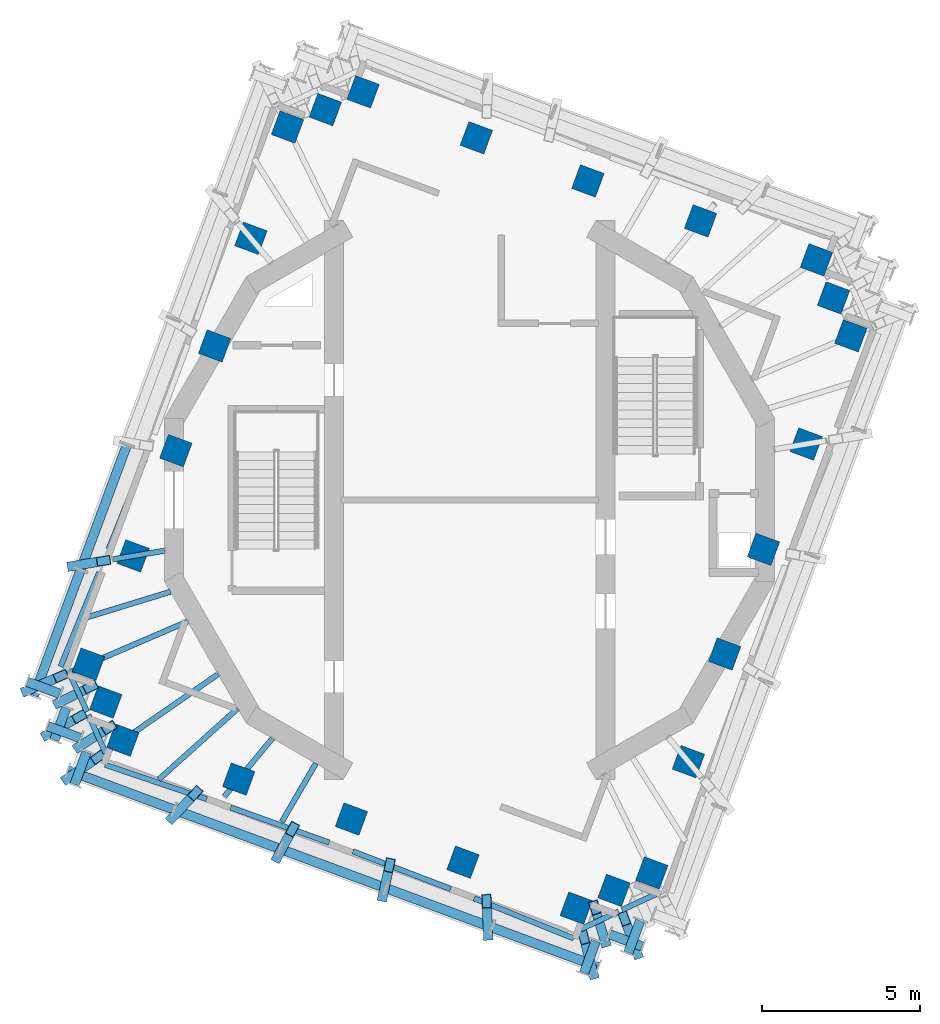
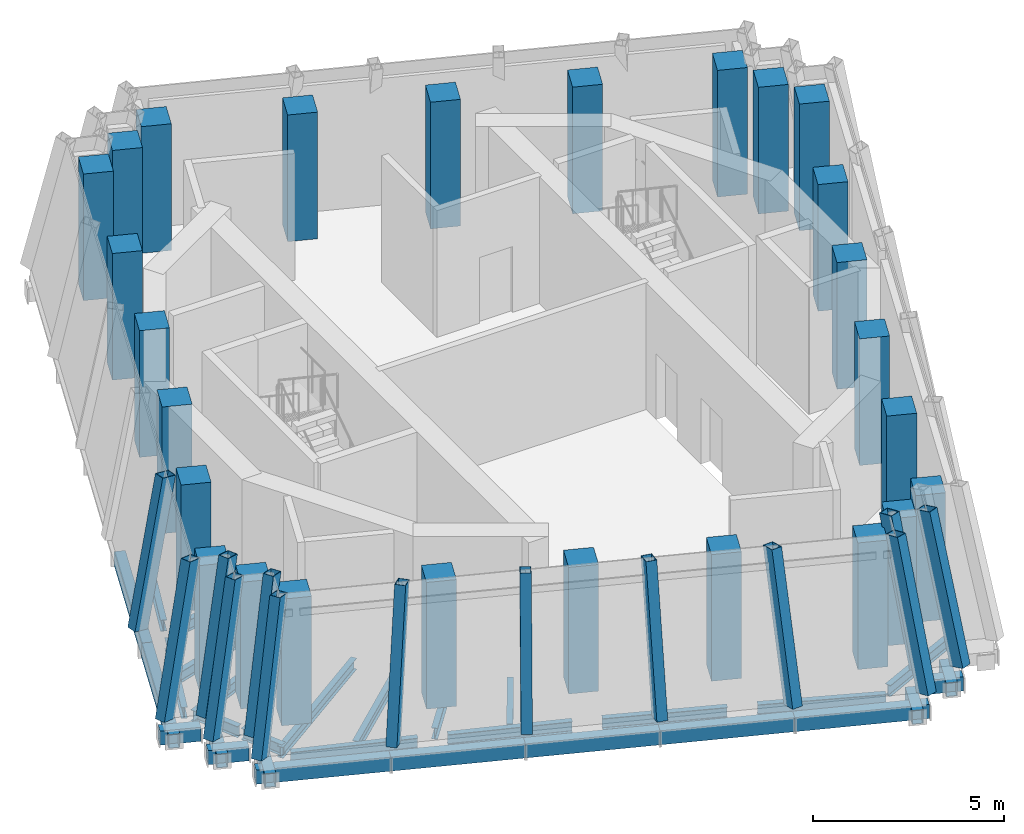
# One storey, part 1 of 11: 27 members, 26 columns, 17 beams, 14 elements without a shape of their own.
"""IFC4 building model written with IfcOpenShell, lengths in metres."""

from ifc_helpers import new_model, si_unit, direction, frame, origin, origin_2d, place, context, subcontext, project, spatial, rectangle, hollow_rectangle, i_section, extrude, material, material_profile, profile_set, type_object, element, aggregate, save


model = new_model("IFC4")

# Units and contexts
model_context = context("Model", 3, precision=1e-05, world=origin(), true_north=direction((0.0, 1.0)))
body_context = subcontext(model_context, "Body", "Model", "MODEL_VIEW")
ifc_project = project(units=[si_unit("LENGTHUNIT", "METRE"), si_unit("AREAUNIT", "SQUARE_METRE"), si_unit("VOLUMEUNIT", "CUBIC_METRE"), si_unit("PLANEANGLEUNIT", "RADIAN"), si_unit("MASSUNIT", "GRAM", prefix="KILO")], contexts=[model_context])

# Site, building, storey
site_placement = place(None, origin())
site = spatial("IfcSite", under=ifc_project, at=site_placement, CompositionType="ELEMENT")
building_placement = place(site_placement, origin())
building = spatial("IfcBuilding", under=site, at=building_placement, Name="Cantera Rosa Tower", CompositionType="ELEMENT")
storey_placement = place(building_placement, frame((0.0, 0.0, 369.699951171875)))
storey = spatial("IfcBuildingStorey", under=building, at=storey_placement, Name="L83", CompositionType="ELEMENT", Elevation=369.699951171875)

# Columns
ifc_material_1 = material(Name="Concrete C50/60", Category="concrete")
ifc_material_profile_1 = material_profile(ifc_material_1, rectangle(XDim=0.800048828125, YDim=0.800048828125, at=origin_2d()), Name="RC COLUMN RC800X800 C50/60")
ifc_profile_set_1 = profile_set([ifc_material_profile_1], Name="Concrete C50/60")
column_type = type_object("IfcColumnType", Name="RC COLUMN RC800X800 C50/60", PredefinedType="COLUMN", material=ifc_profile_set_1)
for number, where, z_axis, x_axis, name in (
    (1, (10.982177734375, 7.604248046875, 0.0), (0.0, 0.0, 1.0), (0.347481234489, 0.937686936924, 0.0), "C-Z6-01 L83"),
    (2, (7.31298828125, 8.837890625, 0.0), (0.0, 0.0, 1.0), (0.347481234489, 0.937686936924, 0.0), "C-Z6-02 L83"),
    (3, (3.744140625, 10.103515625, 0.0), (0.0, 0.0, 1.0), (0.347481234489, 0.937686936924, 0.0), "C-Z6-03 L83"),
    (4, (0.212158203125, 11.46923828125, 0.0), (0.0, 0.0, 1.0), (0.347481234489, 0.937686936924, 0.0), "C-Z6-04 L83"),
    (5, (-3.374755859375, 12.924560546875, 0.0), (0.0, 0.0, 1.0), (0.347481234489, 0.937686936924, 0.0), "C-Z6-05 L83"),
    (6, (-4.570556640625, 12.362548828125, 0.0), (0.0, 0.0, 1.0), (0.347481234489, 0.937686936924, 0.0), "C-Z6-06 L83"),
    (7, (-5.768310546875, 11.809814453125, 0.0), (0.0, 0.0, 1.0), (0.347481234489, 0.937686936924, 0.0), "C-Z6-07 L83"),
    (8, (-6.927490234375, 8.286865234375, 0.0), (0.0, 0.0, 1.0), (0.347481234489, 0.937686936924, 0.0), "C-Z6-08 L83"),
    (9, (-8.075439453125, 4.876953125, 0.0), (0.0, 0.0, 1.0), (0.347481234489, 0.937686936924, 0.0), "C-Z6-09 L83"),
    (10, (-9.303466796875, 1.56298828125, 0.0), (0.0, 0.0, 1.0), (0.347481234489, 0.937686936924, 0.0), "C-Z6-10 L83"),
    (11, (-10.65478515625, -1.771240234375, 0.0), (0.0, 0.0, 1.0), (0.347481234489, 0.937686936924, 0.0), "C-Z6-11 L83"),
    (12, (-12.071044921875, -5.198974609375, 0.0), (0.0, 0.0, 1.0), (0.347481234489, 0.937686936924, 0.0), "C-Z6-12 L83"),
    (13, (-11.52294921875, -6.398681640625, 0.0), (0.0, 0.0, 1.0), (0.347481234489, 0.937686936924, 0.0), "C-Z6-13 L83"),
    (14, (-10.982177734375, -7.604248046875, 0.0), (0.0, 0.0, 1.0), (0.347481234489, 0.937686936924, 0.0), "C-Z6-14 L83"),
    (15, (-7.31298828125, -8.837890625, 0.0), (0.0, 0.0, 1.0), (0.347481234489, 0.937686936924, 0.0), "C-Z6-15 L83"),
    (16, (-3.744140625, -10.103515625, 0.0), (0.0, 0.0, 1.0), (0.347481234489, 0.937686936924, 0.0), "C-Z6-16 L83"),
    (17, (-0.212158203125, -11.46923828125, 0.0), (0.0, 0.0, 1.0), (0.347481234489, 0.937686936924, 0.0), "C-Z6-17 L83"),
    (18, (3.374755859375, -12.924560546875, 0.0), (0.0, 0.0, 1.0), (0.347481234489, 0.937686936924, 0.0), "C-Z6-18 L83"),
    (19, (4.570556640625, -12.362548828125, 0.0), (0.0, 0.0, 1.0), (0.347481234489, 0.937686936924, 0.0), "C-Z6-19 L83"),
    (20, (5.768310546875, -11.809814453125, 0.0), (0.0, 0.0, 1.0), (0.347481234489, 0.937686936924, 0.0), "C-Z6-20 L83"),
    (21, (6.927490234375, -8.286865234375, 0.0), (0.0, 0.0, 1.0), (0.347481234489, 0.937686936924, 0.0), "C-Z6-21 L83"),
    (22, (8.075439453125, -4.876953125, 0.0), (0.0, 0.0, 1.0), (0.347481234489, 0.937686936924, 0.0), "C-Z6-22 L83"),
    (23, (9.303466796875, -1.56298828125, 0.0), (0.0, 0.0, 1.0), (0.347481234489, 0.937686936924, 0.0), "C-Z6-23 L83"),
    (24, (10.65478515625, 1.771240234375, 0.0), (0.0, 0.0, 1.0), (0.347481234489, 0.937686936924, 0.0), "C-Z6-24 L83"),
    (25, (12.071044921875, 5.198974609375, 0.0), (0.0, 0.0, 1.0), (0.347481234489, 0.937686936924, 0.0), "C-Z6-25 L83"),
    (26, (11.52294921875, 6.398681640625, 0.0), (0.0, 0.0, 1.0), (0.347481234489, 0.937686936924, 0.0), "C-Z6-26 L83"),
):
    element("IfcColumn", number, at=place(storey_placement, frame(where, z_axis=z_axis, x_axis=x_axis)), inside=storey, type_object=column_type, Name=name, PredefinedType="COLUMN", context=body_context, shape_type="SweptSolid", body=[
        extrude(rectangle(XDim=0.800048828125, YDim=0.800048828125, at=origin_2d()), origin(), (0.0, 0.0, 1.0), 4.050048828125),
    ])

# Curtain wall, member
ifc_material_2 = material(Name="Aluminium frame with clear glass", Category="aluminium")
curtain_wall_type = type_object("IfcCurtainWallType", Name="CW4 CROWN GLAZING", PredefinedType="NOTDEFINED", material=ifc_material_2)
curtain_wall_1_placement = place(storey_placement, origin())
curtain_wall_1 = element("IfcCurtainWall", 27, at=curtain_wall_1_placement, inside=storey, type_object=curtain_wall_type, Name="CW4 L83-14", PredefinedType="NOTDEFINED")
ifc_material_3 = material(Name="Steel S355J2 (EN 10025-2)", Category="steel")
ifc_material_profile_2 = material_profile(ifc_material_3, hollow_rectangle(XDim=0.300048828125, YDim=0.449951171875, WallThickness=0.01611328125, at=origin_2d()), Name="CROWN FRAME MULLION RHS 300x450x16")
ifc_profile_set_2 = profile_set([ifc_material_profile_2], Name="Steel S355J2 (EN 10025-2)")
member_type_1 = type_object("IfcMemberType", Name="CROWN FRAME MULLION RHS 300x450x16", PredefinedType="MULLION", material=ifc_profile_set_2)
member_1_placement = place(storey_placement, frame((-12.519287109375, -2.081298828125, 0.0), z_axis=(0.201701136075, 0.033563748815, 0.978871864174), x_axis=(-0.164146276387, 0.986436009049, 0.0)))
member_1 = element("IfcMember", 28, at=member_1_placement, type_object=member_type_1, Name="CROWN FRAME rib L83-14", PredefinedType="MULLION", context=body_context, shape_type="SweptSolid", body=[
    extrude(hollow_rectangle(XDim=0.300048828125, YDim=0.449951171875, WallThickness=0.01611328125, at=origin_2d()), origin(), (0.0, 0.0, 1.0), 4.59716796875),
])

curtain_wall_2_placement = place(storey_placement, origin())
curtain_wall_2 = element("IfcCurtainWall", 29, at=curtain_wall_2_placement, inside=storey, type_object=curtain_wall_type, Name="CW4 L83-15", PredefinedType="NOTDEFINED")
member_2_placement = place(storey_placement, frame((-13.979248046875, -6.020751953125, 0.0), z_axis=(0.223241169722, 0.096148424583, 0.970009721905), x_axis=(-0.395564894029, 0.918438029816, 0.0)))
member_2 = element("IfcMember", 30, at=member_2_placement, type_object=member_type_1, Name="CROWN FRAME rib L83-15", PredefinedType="MULLION", context=body_context, shape_type="SweptSolid", body=[
    extrude(hollow_rectangle(XDim=0.300048828125, YDim=0.449951171875, WallThickness=0.01611328125, at=origin_2d()), origin(), (0.0, 0.0, 1.0), 4.63916015625),
])

curtain_wall_3_placement = place(storey_placement, origin())
curtain_wall_3 = element("IfcCurtainWall", 31, at=curtain_wall_3_placement, inside=storey, type_object=curtain_wall_type, Name="CW4 L83-16", PredefinedType="NOTDEFINED")
member_3_placement = place(storey_placement, frame((-12.966552734375, -6.39599609375, 0.0), z_axis=(0.207684153899, 0.102443441606, 0.972816855061), x_axis=(-0.442375355852, 0.896829997566, 0.0)))
member_3 = element("IfcMember", 32, at=member_3_placement, type_object=member_type_1, Name="CROWN FRAME rib L83-16", PredefinedType="MULLION", context=body_context, shape_type="SweptSolid", body=[
    extrude(hollow_rectangle(XDim=0.300048828125, YDim=0.449951171875, WallThickness=0.01611328125, at=origin_2d()), origin(), (0.0, 0.0, 1.0), 4.625732421875),
])

curtain_wall_4_placement = place(storey_placement, origin())
curtain_wall_4 = element("IfcCurtainWall", 33, at=curtain_wall_4_placement, inside=storey, type_object=curtain_wall_type, Name="CW4 L83-17", PredefinedType="NOTDEFINED")
member_4_placement = place(storey_placement, frame((-13.341796875, -7.40869140625, 0.0), z_axis=(0.212999998171, 0.118286560249, 0.96986560432), x_axis=(-0.485496229045, 0.874238761199, 0.0)))
member_4 = element("IfcMember", 34, at=member_4_placement, type_object=member_type_1, Name="CROWN FRAME rib L83-17", PredefinedType="MULLION", context=body_context, shape_type="SweptSolid", body=[
    extrude(hollow_rectangle(XDim=0.300048828125, YDim=0.449951171875, WallThickness=0.01611328125, at=origin_2d()), origin(), (0.0, 0.0, 1.0), 4.639892578125),
])

curtain_wall_5_placement = place(storey_placement, origin())
curtain_wall_5 = element("IfcCurtainWall", 35, at=curtain_wall_5_placement, inside=storey, type_object=curtain_wall_type, Name="CW4 L83-18", PredefinedType="NOTDEFINED")
member_5_placement = place(storey_placement, frame((-12.3291015625, -7.783935546875, 0.0), z_axis=(0.19735648188, 0.124607326972, 0.97238029244), x_axis=(-0.533873930699, 0.84556408753, 0.0)))
member_5 = element("IfcMember", 36, at=member_5_placement, type_object=member_type_1, Name="CROWN FRAME rib L83-18", PredefinedType="MULLION", context=body_context, shape_type="SweptSolid", body=[
    extrude(hollow_rectangle(XDim=0.300048828125, YDim=0.449951171875, WallThickness=0.01611328125, at=origin_2d()), origin(), (0.0, 0.0, 1.0), 4.6279296875),
])

curtain_wall_6_placement = place(storey_placement, origin())
curtain_wall_6 = element("IfcCurtainWall", 37, at=curtain_wall_6_placement, inside=storey, type_object=curtain_wall_type, Name="CW4 L83-19", PredefinedType="NOTDEFINED")
member_6_placement = place(storey_placement, frame((-12.704345703125, -8.796630859375, 0.0), z_axis=(0.202691806928, 0.140333186171, 0.969134989701), x_axis=(-0.569232159269, 0.822176835513, 0.0)))
member_6 = element("IfcMember", 38, at=member_6_placement, type_object=member_type_1, Name="CROWN FRAME rib L83-19", PredefinedType="MULLION", context=body_context, shape_type="SweptSolid", body=[
    extrude(hollow_rectangle(XDim=0.300048828125, YDim=0.449951171875, WallThickness=0.01611328125, at=origin_2d()), origin(), (0.0, 0.0, 1.0), 4.643310546875),
])

curtain_wall_7_placement = place(storey_placement, origin())
curtain_wall_7 = element("IfcCurtainWall", 39, at=curtain_wall_7_placement, inside=storey, type_object=curtain_wall_type, Name="CW4 L83-20", PredefinedType="NOTDEFINED")
member_7_placement = place(storey_placement, frame((-9.382568359375, -10.027587890625, 0.0), z_axis=(0.150605583101, 0.161030495213, 0.97539076167), x_axis=(-0.730352521861, 0.683070416437, 0.0)))
member_7 = element("IfcMember", 40, at=member_7_placement, type_object=member_type_1, Name="CROWN FRAME rib L83-20", PredefinedType="MULLION", context=body_context, shape_type="SweptSolid", body=[
    extrude(hollow_rectangle(XDim=0.300048828125, YDim=0.449951171875, WallThickness=0.01611328125, at=origin_2d()), origin(), (0.0, 0.0, 1.0), 4.613525390625),
])

curtain_wall_8_placement = place(storey_placement, origin())
curtain_wall_8 = element("IfcCurtainWall", 41, at=curtain_wall_8_placement, inside=storey, type_object=curtain_wall_type, Name="CW4 L83-21", PredefinedType="NOTDEFINED")
member_8_placement = place(storey_placement, frame((-6.06103515625, -11.258544921875, 0.0), z_axis=(0.097632922217, 0.181356205706, 0.978559011584), x_axis=(-0.880512480257, 0.474022965806, 0.0)))
member_8 = element("IfcMember", 42, at=member_8_placement, type_object=member_type_1, Name="CROWN FRAME rib L83-21", PredefinedType="MULLION", context=body_context, shape_type="SweptSolid", body=[
    extrude(hollow_rectangle(XDim=0.300048828125, YDim=0.449951171875, WallThickness=0.01611328125, at=origin_2d()), origin(), (0.0, 0.0, 1.0), 4.5986328125),
])

curtain_wall_9_placement = place(storey_placement, origin())
curtain_wall_9 = element("IfcCurtainWall", 43, at=curtain_wall_9_placement, inside=storey, type_object=curtain_wall_type, Name="CW4 L83-22", PredefinedType="NOTDEFINED")
member_9_placement = place(storey_placement, frame((-2.7392578125, -12.489501953125, 0.0), z_axis=(0.044117747221, 0.201210904893, 0.978553931131), x_axis=(-0.976795656334, 0.214173401165, 0.0)))
member_9 = element("IfcMember", 44, at=member_9_placement, type_object=member_type_1, Name="CROWN FRAME rib L83-22", PredefinedType="MULLION", context=body_context, shape_type="SweptSolid", body=[
    extrude(hollow_rectangle(XDim=0.300048828125, YDim=0.449951171875, WallThickness=0.01611328125, at=origin_2d()), origin(), (0.0, 0.0, 1.0), 4.5986328125),
])

curtain_wall_10_placement = place(storey_placement, origin())
curtain_wall_10 = element("IfcCurtainWall", 45, at=curtain_wall_10_placement, inside=storey, type_object=curtain_wall_type, Name="CW4 L83-23", PredefinedType="NOTDEFINED")
member_10_placement = place(storey_placement, frame((0.582275390625, -13.72021484375, 0.0), z_axis=(-0.009313709809, 0.220248069459, 0.975399427265), x_axis=(-0.99910708688, -0.042249602905, 0.0)))
member_10 = element("IfcMember", 46, at=member_10_placement, type_object=member_type_1, Name="CROWN FRAME rib L83-23", PredefinedType="MULLION", context=body_context, shape_type="SweptSolid", body=[
    extrude(hollow_rectangle(XDim=0.300048828125, YDim=0.449951171875, WallThickness=0.01611328125, at=origin_2d()), origin(), (0.0, 0.0, 1.0), 4.613525390625),
])

curtain_wall_11_placement = place(storey_placement, origin())
curtain_wall_11 = element("IfcCurtainWall", 47, at=curtain_wall_11_placement, inside=storey, type_object=curtain_wall_type, Name="CW4 L83-24", PredefinedType="NOTDEFINED")
member_11_placement = place(storey_placement, frame((3.904052734375, -14.951171875, 0.0), z_axis=(-0.062306478041, 0.238499733664, 0.96914177489), x_axis=(-0.967528872957, -0.252760519059, 0.0)))
member_11 = element("IfcMember", 48, at=member_11_placement, type_object=member_type_1, Name="CROWN FRAME rib L83-24", PredefinedType="MULLION", context=body_context, shape_type="SweptSolid", body=[
    extrude(hollow_rectangle(XDim=0.300048828125, YDim=0.449951171875, WallThickness=0.01611328125, at=origin_2d()), origin(), (0.0, 0.0, 1.0), 4.643310546875),
])

curtain_wall_12_placement = place(storey_placement, origin())
curtain_wall_12 = element("IfcCurtainWall", 49, at=curtain_wall_12_placement, inside=storey, type_object=curtain_wall_type, Name="CW4 L83-25", PredefinedType="NOTDEFINED")
member_12_placement = place(storey_placement, frame((4.279296875, -13.9384765625, 0.0), z_axis=(-0.068476464334, 0.223102440423, 0.97238689569), x_axis=(-0.955984057703, -0.293418611232, 0.0)))
member_12 = element("IfcMember", 50, at=member_12_placement, type_object=member_type_1, Name="CROWN FRAME rib L83-25", PredefinedType="MULLION", context=body_context, shape_type="SweptSolid", body=[
    extrude(hollow_rectangle(XDim=0.300048828125, YDim=0.449951171875, WallThickness=0.01611328125, at=origin_2d()), origin(), (0.0, 0.0, 1.0), 4.627685546875),
])

curtain_wall_13_placement = place(storey_placement, origin())
curtain_wall_13 = element("IfcCurtainWall", 51, at=curtain_wall_13_placement, inside=storey, type_object=curtain_wall_type, Name="CW4 L83-26", PredefinedType="NOTDEFINED")
member_13_placement = place(storey_placement, frame((5.2919921875, -14.313720703125, 0.0), z_axis=(-0.084505308064, 0.228522137559, 0.9698641583), x_axis=(-0.937925785431, -0.346836014599, 0.0)))
member_13 = element("IfcMember", 52, at=member_13_placement, type_object=member_type_1, Name="CROWN FRAME rib L83-26", PredefinedType="MULLION", context=body_context, shape_type="SweptSolid", body=[
    extrude(hollow_rectangle(XDim=0.300048828125, YDim=0.449951171875, WallThickness=0.01611328125, at=origin_2d()), origin(), (0.0, 0.0, 1.0), 4.639892578125),
])

curtain_wall_14_placement = place(storey_placement, origin())
curtain_wall_14 = element("IfcCurtainWall", 53, at=curtain_wall_14_placement, inside=storey, type_object=curtain_wall_type, Name="CW4 L83-13", PredefinedType="NOTDEFINED")
ifc_material_4 = material(Name="Steel S355J2 (EN 10025-2)", Category="steel")
ifc_material_profile_3 = material_profile(ifc_material_4, hollow_rectangle(XDim=0.300048828125, YDim=0.449951171875, WallThickness=0.01611328125, at=origin_2d()), Name="CROWN FRAME PURLIN RHS 300x450x16")
ifc_profile_set_3 = profile_set([ifc_material_profile_3], Name="Steel S355J2 (EN 10025-2)")
member_type_2 = type_object("IfcMemberType", Name="CROWN FRAME PURLIN RHS 300x450x16", PredefinedType="PURLIN", material=ifc_profile_set_3)
member_14_placement = place(storey_placement, frame((-10.84814453125, 1.75732421875, -0.675048828125), z_axis=(-0.347432400103, -0.937705032171, 0.0), x_axis=(0.937705032171, -0.347432400103, 0.0)))
member_14 = element("IfcMember", 54, at=member_14_placement, type_object=member_type_2, Name="CROWN FRAME purlin L83-13", PredefinedType="PURLIN", context=body_context, shape_type="SweptSolid", body=[
    extrude(hollow_rectangle(XDim=0.300048828125, YDim=0.449951171875, WallThickness=0.01611328125, at=origin_2d()), origin(), (0.0, 0.0, 1.0), 4.24365234375),
])
aggregate(curtain_wall_14, [member_14])

# Member
member_15_placement = place(storey_placement, frame((-12.322509765625, -2.221923828125, -0.675048828125), z_axis=(-0.347501731493, -0.937679341038, 0.0), x_axis=(0.937679341038, -0.347501731493, 0.0)))
member_15 = element("IfcMember", 55, at=member_15_placement, type_object=member_type_2, Name="CROWN FRAME purlin L83-14", PredefinedType="PURLIN", context=body_context, shape_type="SweptSolid", body=[
    extrude(hollow_rectangle(XDim=0.300048828125, YDim=0.449951171875, WallThickness=0.01611328125, at=origin_2d()), origin(), (0.0, 0.0, 1.0), 4.243408203125),
])

aggregate(curtain_wall_1, [member_1, member_15])

member_16_placement = place(storey_placement, frame((-14.0009765625, -5.75830078125, -0.675048828125), z_axis=(0.937665049804, -0.347540291729, 0.0), x_axis=(0.347540291729, 0.937665049804, 0.0)))
member_16 = element("IfcMember", 56, at=member_16_placement, type_object=member_type_2, Name="CROWN FRAME purlin L83-15", PredefinedType="PURLIN", context=body_context, shape_type="SweptSolid", body=[
    extrude(hollow_rectangle(XDim=0.300048828125, YDim=0.449951171875, WallThickness=0.01611328125, at=origin_2d()), origin(), (0.0, 0.0, 1.0), 1.091064453125),
])

aggregate(curtain_wall_2, [member_2, member_16])

member_17_placement = place(storey_placement, frame((-12.774658203125, -6.5810546875, -0.675048828125), z_axis=(-0.347343512244, -0.937737961534, 0.0), x_axis=(0.937737961534, -0.347343512244, 0.0)))
member_17 = element("IfcMember", 57, at=member_17_placement, type_object=member_type_2, Name="CROWN FRAME purlin L83-16", PredefinedType="PURLIN", context=body_context, shape_type="SweptSolid", body=[
    extrude(hollow_rectangle(XDim=0.300048828125, YDim=0.449951171875, WallThickness=0.01611328125, at=origin_2d()), origin(), (0.0, 0.0, 1.0), 1.0908203125),
])

aggregate(curtain_wall_3, [member_3, member_17])

member_18_placement = place(storey_placement, frame((-13.356201171875, -7.16064453125, -0.675048828125), z_axis=(0.937737961534, -0.347343512244, 0.0), x_axis=(0.347343512244, 0.937737961534, 0.0)))
member_18 = element("IfcMember", 58, at=member_18_placement, type_object=member_type_2, Name="CROWN FRAME purlin L83-17", PredefinedType="PURLIN", context=body_context, shape_type="SweptSolid", body=[
    extrude(hollow_rectangle(XDim=0.300048828125, YDim=0.449951171875, WallThickness=0.01611328125, at=origin_2d()), origin(), (0.0, 0.0, 1.0), 1.0908203125),
])

aggregate(curtain_wall_4, [member_4, member_18])

member_19_placement = place(storey_placement, frame((-12.131103515625, -7.984375, -0.675048828125), z_axis=(-0.347540291729, -0.937665049804, 0.0), x_axis=(0.937665049804, -0.347540291729, 0.0)))
member_19 = element("IfcMember", 59, at=member_19_placement, type_object=member_type_2, Name="CROWN FRAME purlin L83-18", PredefinedType="PURLIN", context=body_context, shape_type="SweptSolid", body=[
    extrude(hollow_rectangle(XDim=0.300048828125, YDim=0.449951171875, WallThickness=0.01611328125, at=origin_2d()), origin(), (0.0, 0.0, 1.0), 1.091064453125),
])

aggregate(curtain_wall_5, [member_5, member_19])

member_20_placement = place(storey_placement, frame((-12.71142578125, -8.562744140625, -0.675048828125), z_axis=(0.937687832299, -0.347478818286, 0.0), x_axis=(0.347478818286, 0.937687832299, 0.0)))
member_20 = element("IfcMember", 60, at=member_20_placement, type_object=member_type_2, Name="CROWN FRAME purlin L83-19", PredefinedType="PURLIN", context=body_context, shape_type="SweptSolid", body=[
    extrude(hollow_rectangle(XDim=0.300048828125, YDim=0.449951171875, WallThickness=0.01611328125, at=origin_2d()), origin(), (0.0, 0.0, 1.0), 3.57763671875),
])

aggregate(curtain_wall_6, [member_6, member_20])

member_21_placement = place(storey_placement, frame((-9.356689453125, -9.805908203125, -0.675048828125), z_axis=(0.937679592089, -0.34750105407, 0.0), x_axis=(0.34750105407, 0.937679592089, 0.0)))
member_21 = element("IfcMember", 61, at=member_21_placement, type_object=member_type_2, Name="CROWN FRAME purlin L83-20", PredefinedType="PURLIN", context=body_context, shape_type="SweptSolid", body=[
    extrude(hollow_rectangle(XDim=0.300048828125, YDim=0.449951171875, WallThickness=0.01611328125, at=origin_2d()), origin(), (0.0, 0.0, 1.0), 3.577392578125),
])

aggregate(curtain_wall_7, [member_7, member_21])

member_22_placement = place(storey_placement, frame((-6.002197265625, -11.049072265625, -0.675048828125), z_axis=(0.937687832299, -0.347478818286, 0.0), x_axis=(0.347478818286, 0.937687832299, 0.0)))
member_22 = element("IfcMember", 62, at=member_22_placement, type_object=member_type_2, Name="CROWN FRAME purlin L83-21", PredefinedType="PURLIN", context=body_context, shape_type="SweptSolid", body=[
    extrude(hollow_rectangle(XDim=0.300048828125, YDim=0.449951171875, WallThickness=0.01611328125, at=origin_2d()), origin(), (0.0, 0.0, 1.0), 3.57763671875),
])

aggregate(curtain_wall_8, [member_8, member_22])

member_23_placement = place(storey_placement, frame((-2.6474609375, -12.292236328125, -0.675048828125), z_axis=(0.937687832299, -0.347478818286, 0.0), x_axis=(0.347478818286, 0.937687832299, 0.0)))
member_23 = element("IfcMember", 63, at=member_23_placement, type_object=member_type_2, Name="CROWN FRAME purlin L83-22", PredefinedType="PURLIN", context=body_context, shape_type="SweptSolid", body=[
    extrude(hollow_rectangle(XDim=0.300048828125, YDim=0.449951171875, WallThickness=0.01611328125, at=origin_2d()), origin(), (0.0, 0.0, 1.0), 3.57763671875),
])

aggregate(curtain_wall_9, [member_9, member_23])

member_24_placement = place(storey_placement, frame((0.707275390625, -13.535400390625, -0.675048828125), z_axis=(0.937679592089, -0.34750105407, 0.0), x_axis=(0.34750105407, 0.937679592089, 0.0)))
member_24 = element("IfcMember", 64, at=member_24_placement, type_object=member_type_2, Name="CROWN FRAME purlin L83-23", PredefinedType="PURLIN", context=body_context, shape_type="SweptSolid", body=[
    extrude(hollow_rectangle(XDim=0.300048828125, YDim=0.449951171875, WallThickness=0.01611328125, at=origin_2d()), origin(), (0.0, 0.0, 1.0), 3.577392578125),
])

aggregate(curtain_wall_10, [member_10, member_24])

member_25_placement = place(storey_placement, frame((3.619384765625, -14.984619140625, -0.675048828125), z_axis=(0.347467379273, 0.937692071173, 0.0), x_axis=(-0.937692071173, 0.347467379273, 0.0)))
member_25 = element("IfcMember", 65, at=member_25_placement, type_object=member_type_2, Name="CROWN FRAME purlin L83-24", PredefinedType="PURLIN", context=body_context, shape_type="SweptSolid", body=[
    extrude(hollow_rectangle(XDim=0.300048828125, YDim=0.449951171875, WallThickness=0.01611328125, at=origin_2d()), origin(), (0.0, 0.0, 1.0), 1.091064453125),
])

aggregate(curtain_wall_11, [member_11, member_25])

member_26_placement = place(storey_placement, frame((4.441650390625, -13.755859375, -0.675048828125), z_axis=(0.937665049804, -0.347540291729, 0.0), x_axis=(0.347540291729, 0.937665049804, 0.0)))
member_26 = element("IfcMember", 66, at=member_26_placement, type_object=member_type_2, Name="CROWN FRAME purlin L83-25", PredefinedType="PURLIN", context=body_context, shape_type="SweptSolid", body=[
    extrude(hollow_rectangle(XDim=0.300048828125, YDim=0.449951171875, WallThickness=0.01611328125, at=origin_2d()), origin(), (0.0, 0.0, 1.0), 1.091064453125),
])

aggregate(curtain_wall_12, [member_12, member_26])

member_27_placement = place(storey_placement, frame((5.02197265625, -14.339599609375, -0.675048828125), z_axis=(0.347467379273, 0.937692071173, 0.0), x_axis=(-0.937692071173, 0.347467379273, 0.0)))
member_27 = element("IfcMember", 67, at=member_27_placement, type_object=member_type_2, Name="CROWN FRAME purlin L83-26", PredefinedType="PURLIN", context=body_context, shape_type="SweptSolid", body=[
    extrude(hollow_rectangle(XDim=0.300048828125, YDim=0.449951171875, WallThickness=0.01611328125, at=origin_2d()), origin(), (0.0, 0.0, 1.0), 1.091064453125),
])

aggregate(curtain_wall_13, [member_13, member_27])

# Beams
ifc_material_5 = material(Name="Steel ASTM A992 (Fy 345 MPa)", Category="steel")
ifc_material_profile_4 = material_profile(ifc_material_5, i_section(OverallWidth=0.1708984375, OverallDepth=0.35595703125, WebThickness=0.00732421875, FlangeThickness=0.01171875, FilletRadius=0.010009765625, at=origin_2d()), Name="W360X51")
ifc_profile_set_4 = profile_set([ifc_material_profile_4], Name="Steel ASTM A992 (Fy 345 MPa)")
beam_type_1 = type_object("IfcBeamType", Name="STEEL BEAM W360X51", PredefinedType="BEAM", material=ifc_profile_set_4)
beam_1_placement = place(storey_placement, frame((-11.2861328125, -1.876220703125, -0.6279296875), z_axis=(0.98645786112, 0.164014902479, 0.0), x_axis=(-0.164014902479, 0.98645786112, 0.0)))
element("IfcBeam", 68, at=beam_1_placement, inside=storey, type_object=beam_type_1, Name="CG-Z6-05 L83", PredefinedType="BEAM", context=body_context, shape_type="SweptSolid", body=[
    extrude(i_section(OverallWidth=0.1708984375, OverallDepth=0.35595703125, WebThickness=0.00732421875, FlangeThickness=0.01171875, FilletRadius=0.010009765625, at=origin_2d()), origin(), (0.0, 0.0, 1.0), 1.649169921875),
])
beam_2_placement = place(storey_placement, frame((-12.8310546875, -5.526123046875, -0.6279296875), z_axis=(0.918453441932, 0.395529107656, 0.0), x_axis=(-0.395529107656, 0.918453441932, 0.0)))
element("IfcBeam", 69, at=beam_2_placement, inside=storey, type_object=beam_type_1, Name="CG-Z6-06 L83", PredefinedType="BEAM", context=body_context, shape_type="SweptSolid", body=[
    extrude(i_section(OverallWidth=0.1708984375, OverallDepth=0.35595703125, WebThickness=0.00732421875, FlangeThickness=0.01171875, FilletRadius=0.010009765625, at=origin_2d()), origin(), (0.0, 0.0, 1.0), 4.244873046875),
])
beam_3_placement = place(storey_placement, frame((-11.676513671875, -8.0849609375, -0.6279296875), z_axis=(0.822153217413, 0.569266270823, 0.0), x_axis=(-0.569266270823, 0.822153217413, 0.0)))
element("IfcBeam", 70, at=beam_3_placement, inside=storey, type_object=beam_type_1, Name="CG-Z6-07 L83", PredefinedType="BEAM", context=body_context, shape_type="SweptSolid", body=[
    extrude(i_section(OverallWidth=0.1708984375, OverallDepth=0.35595703125, WebThickness=0.00732421875, FlangeThickness=0.01171875, FilletRadius=0.010009765625, at=origin_2d()), origin(), (0.0, 0.0, 1.0), 4.510498046875),
])
beam_4_placement = place(storey_placement, frame((-7.75537109375, -9.372314453125, -0.6279296875), z_axis=(0.63748332089, 0.770464155939, 0.0), x_axis=(-0.770464155939, 0.63748332089, 0.0)))
element("IfcBeam", 71, at=beam_4_placement, inside=storey, type_object=beam_type_1, Name="CG-Z6-08 L83", PredefinedType="BEAM", context=body_context, shape_type="SweptSolid", body=[
    extrude(i_section(OverallWidth=0.1708984375, OverallDepth=0.35595703125, WebThickness=0.00732421875, FlangeThickness=0.01171875, FilletRadius=0.010009765625, at=origin_2d()), origin(), (0.0, 0.0, 1.0), 2.368408203125),
])
beam_5_placement = place(storey_placement, frame((-12.229736328125, -3.75, -0.6279296875), z_axis=(0.956051673784, 0.29319822144, 0.0), x_axis=(-0.29319822144, 0.956051673784, 0.0)))
element("IfcBeam", 72, at=beam_5_placement, inside=storey, type_object=beam_type_1, Name="CB-Z6-04 L83", PredefinedType="BEAM", context=body_context, shape_type="SweptSolid", body=[
    extrude(i_section(OverallWidth=0.1708984375, OverallDepth=0.35595703125, WebThickness=0.00732421875, FlangeThickness=0.01171875, FilletRadius=0.010009765625, at=origin_2d()), origin(), (0.0, 0.0, 1.0), 2.880126953125),
])
beam_6_placement = place(storey_placement, frame((-9.845703125, -8.849365234375, -0.6279296875), z_axis=(0.743759359384, 0.668447466394, 0.0), x_axis=(-0.668447466394, 0.743759359384, 0.0)))
element("IfcBeam", 73, at=beam_6_placement, inside=storey, type_object=beam_type_1, Name="CB-Z6-05 L83", PredefinedType="BEAM", context=body_context, shape_type="SweptSolid", body=[
    extrude(i_section(OverallWidth=0.1708984375, OverallDepth=0.35595703125, WebThickness=0.00732421875, FlangeThickness=0.01171875, FilletRadius=0.010009765625, at=origin_2d()), origin(), (0.0, 0.0, 1.0), 3.364990234375),
])
beam_7_placement = place(storey_placement, frame((-5.94775390625, -10.189697265625, -0.6279296875), z_axis=(0.504119374027, 0.86363398308, 0.0), x_axis=(-0.86363398308, 0.504119374027, 0.0)))
element("IfcBeam", 74, at=beam_7_placement, inside=storey, type_object=beam_type_1, Name="CB-Z6-06 L83", PredefinedType="BEAM", context=body_context, shape_type="SweptSolid", body=[
    extrude(i_section(OverallWidth=0.1708984375, OverallDepth=0.35595703125, WebThickness=0.00732421875, FlangeThickness=0.01171875, FilletRadius=0.010009765625, at=origin_2d()), origin(), (0.0, 0.0, 1.0), 2.13916015625),
])
ifc_material_6 = material(Name="Steel ASTM A992 (Fy 345 MPa)", Category="steel")
ifc_material_profile_5 = material_profile(ifc_material_6, i_section(OverallWidth=0.1708984375, OverallDepth=0.35595703125, WebThickness=0.00732421875, FlangeThickness=0.01171875, FilletRadius=0.010009765625, at=origin_2d()), Name="W360X51")
ifc_profile_set_5 = profile_set([ifc_material_profile_5], Name="Steel ASTM A992 (Fy 345 MPa)")
beam_type_2 = type_object("IfcBeamType", Name="STEEL SPANDREL BEAM W360X51", PredefinedType="SPANDREL", material=ifc_profile_set_5)
beam_8_placement = place(storey_placement, frame((-10.27197265625, 1.32958984375, -0.6279296875), z_axis=(-0.373434396537, -0.927656591354, 0.0), x_axis=(0.927656591354, -0.373434396537, 0.0)))
element("IfcBeam", 75, at=beam_8_placement, inside=storey, type_object=beam_type_2, Name="CEB-Z6-10 L83", PredefinedType="SPANDREL", context=body_context, shape_type="SweptSolid", body=[
    extrude(i_section(OverallWidth=0.1708984375, OverallDepth=0.35595703125, WebThickness=0.00732421875, FlangeThickness=0.01171875, FilletRadius=0.010009765625, at=origin_2d()), origin(), (0.0, 0.0, 1.0), 3.108642578125),
])
beam_9_placement = place(storey_placement, frame((-11.73388671875, -2.2958984375, -0.6279296875), z_axis=(-0.379261737096, -0.925289432975, 0.0), x_axis=(0.925289432975, -0.379261737096, 0.0)))
element("IfcBeam", 76, at=beam_9_placement, inside=storey, type_object=beam_type_2, Name="CEB-Z6-11 L83", PredefinedType="SPANDREL", context=body_context, shape_type="SweptSolid", body=[
    extrude(i_section(OverallWidth=0.1708984375, OverallDepth=0.35595703125, WebThickness=0.00732421875, FlangeThickness=0.01171875, FilletRadius=0.010009765625, at=origin_2d()), origin(), (0.0, 0.0, 1.0), 3.21923828125),
])
beam_10_placement = place(storey_placement, frame((-12.665283203125, -5.503662109375, -0.6279296875), z_axis=(0.415668032788, -0.909516402556, 0.0), x_axis=(0.909516402556, 0.415668032788, 0.0)))
element("IfcBeam", 77, at=beam_10_placement, inside=storey, type_object=beam_type_2, Name="CEB-Z6-12 L83", PredefinedType="SPANDREL", context=body_context, shape_type="SweptSolid", body=[
    extrude(i_section(OverallWidth=0.1708984375, OverallDepth=0.35595703125, WebThickness=0.00732421875, FlangeThickness=0.01171875, FilletRadius=0.010009765625, at=origin_2d()), origin(), (0.0, 0.0, 1.0), 1.321044921875),
])
beam_11_placement = place(storey_placement, frame((-12.070068359375, -6.80712890625, -0.6279296875), z_axis=(0.410004044298, -0.912083704305, 0.0), x_axis=(0.912083704305, 0.410004044298, 0.0)))
element("IfcBeam", 78, at=beam_11_placement, inside=storey, type_object=beam_type_2, Name="CEB-Z6-13 L83", PredefinedType="SPANDREL", context=body_context, shape_type="SweptSolid", body=[
    extrude(i_section(OverallWidth=0.1708984375, OverallDepth=0.35595703125, WebThickness=0.00732421875, FlangeThickness=0.01171875, FilletRadius=0.010009765625, at=origin_2d()), origin(), (0.0, 0.0, 1.0), 1.322998046875),
])
beam_12_placement = place(storey_placement, frame((-11.544189453125, -8.38427734375, -0.6279296875), z_axis=(0.94710548671, -0.320922415925, 0.0), x_axis=(0.320922415925, 0.94710548671, 0.0)))
element("IfcBeam", 79, at=beam_12_placement, inside=storey, type_object=beam_type_2, Name="CEB-Z6-14 L83", PredefinedType="SPANDREL", context=body_context, shape_type="SweptSolid", body=[
    extrude(i_section(OverallWidth=0.1708984375, OverallDepth=0.35595703125, WebThickness=0.00732421875, FlangeThickness=0.01171875, FilletRadius=0.010009765625, at=origin_2d()), origin(), (0.0, 0.0, 1.0), 3.398193359375),
])
for number, where, z_axis, x_axis, name in (
    (80, (-7.56982421875, -9.737548828125, -0.6279296875), (0.942119588789, -0.335277020418, 0.0), (0.335277020418, 0.942119588789, 0.0), "CEB-Z6-15 L83"),
    (81, (-3.69677734375, -11.126953125, -0.6279296875), (0.933115722643, -0.359576206326, 0.0), (0.359576206326, 0.933115722643, 0.0), "CEB-Z6-16 L83"),
):
    element("IfcBeam", number, at=place(storey_placement, frame(where, z_axis=z_axis, x_axis=x_axis)), inside=storey, type_object=beam_type_2, Name=name, PredefinedType="SPANDREL", context=body_context, shape_type="SweptSolid", body=[
        extrude(i_section(OverallWidth=0.1708984375, OverallDepth=0.35595703125, WebThickness=0.00732421875, FlangeThickness=0.01171875, FilletRadius=0.010009765625, at=origin_2d()), origin(), (0.0, 0.0, 1.0), 3.314697265625),
    ])
beam_13_placement = place(storey_placement, frame((0.140625, -12.6123046875, -0.6279296875), z_axis=(0.927517407427, -0.373779960564, 0.0), x_axis=(0.373779960564, 0.927517407427, 0.0)))
element("IfcBeam", 82, at=beam_13_placement, inside=storey, type_object=beam_type_2, Name="CEB-Z6-17 L83", PredefinedType="SPANDREL", context=body_context, shape_type="SweptSolid", body=[
    extrude(i_section(OverallWidth=0.1708984375, OverallDepth=0.35595703125, WebThickness=0.00732421875, FlangeThickness=0.01171875, FilletRadius=0.010009765625, at=origin_2d()), origin(), (0.0, 0.0, 1.0), 3.3984375),
])
beam_14_placement = place(storey_placement, frame((3.521728515625, -13.5908203125, -0.6279296875), z_axis=(0.905294876222, 0.424783694469, 0.0), x_axis=(-0.424783694469, 0.905294876222, 0.0)))
element("IfcBeam", 83, at=beam_14_placement, inside=storey, type_object=beam_type_2, Name="CEB-Z6-18 L83", PredefinedType="SPANDREL", context=body_context, shape_type="SweptSolid", body=[
    extrude(i_section(OverallWidth=0.1708984375, OverallDepth=0.35595703125, WebThickness=0.00732421875, FlangeThickness=0.01171875, FilletRadius=0.010009765625, at=origin_2d()), origin(), (0.0, 0.0, 1.0), 1.322998046875),
])
beam_15_placement = place(storey_placement, frame((4.821044921875, -12.9814453125, -0.6279296875), z_axis=(0.908035117413, 0.4188940505, 0.0), x_axis=(-0.4188940505, 0.908035117413, 0.0)))
element("IfcBeam", 84, at=beam_15_placement, inside=storey, type_object=beam_type_2, Name="CEB-Z6-19 L83", PredefinedType="SPANDREL", context=body_context, shape_type="SweptSolid", body=[
    extrude(i_section(OverallWidth=0.1708984375, OverallDepth=0.35595703125, WebThickness=0.00732421875, FlangeThickness=0.01171875, FilletRadius=0.010009765625, at=origin_2d()), origin(), (0.0, 0.0, 1.0), 1.320556640625),
])

save(model, "model.ifc")
